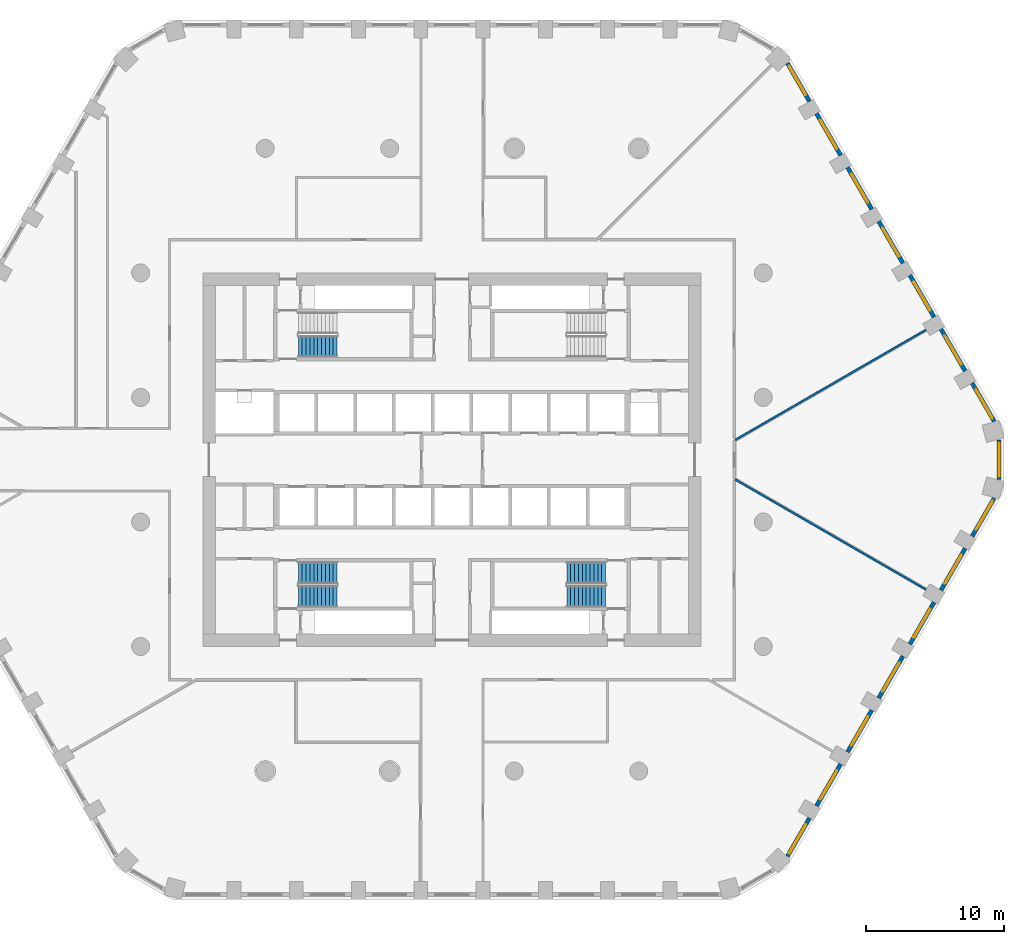
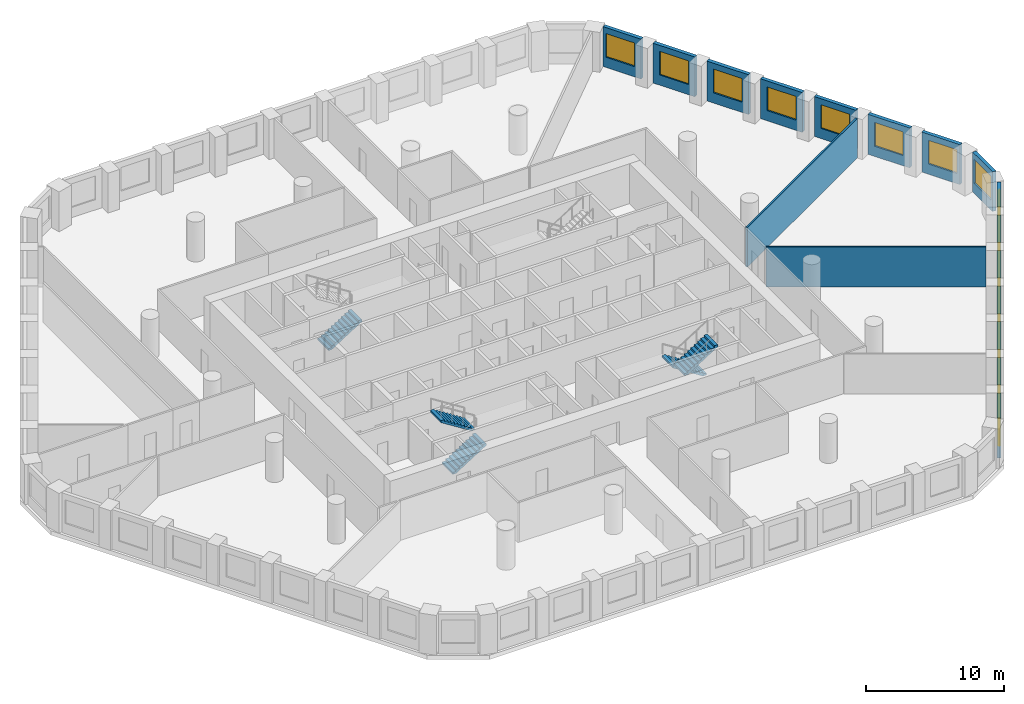
# One storey, part 8 of 14: 17 walls, 15 windows, 5 stair flights, 15 openings, 3 elements without a shape of their own.
"""IFC4 building model written with IfcOpenShell, lengths in metres."""

from ifc_helpers import new_model, si_unit, direction, frame, frame_2d, origin, place, context, subcontext, project, spatial, polyline, rectangle, outline, extrude, material, layer, layer_set, type_object, element, fill, aggregate, save


model = new_model("IFC4")

# Units and contexts
model_context = context("Model", 3, precision=1e-05, world=origin(), true_north=direction((0.0, 1.0)))
body_context = subcontext(model_context, "Body", "Model", "MODEL_VIEW")
ifc_project = project(units=[si_unit("LENGTHUNIT", "METRE"), si_unit("AREAUNIT", "SQUARE_METRE"), si_unit("VOLUMEUNIT", "CUBIC_METRE"), si_unit("PLANEANGLEUNIT", "RADIAN"), si_unit("MASSUNIT", "GRAM", prefix="KILO")], contexts=[model_context])

# Site, building, storey
site_placement = place(None, origin())
site = spatial("IfcSite", under=ifc_project, at=site_placement, CompositionType="ELEMENT")
building_placement = place(site_placement, origin())
building = spatial("IfcBuilding", under=site, at=building_placement, Name="Dhurran Vertical Campus", CompositionType="ELEMENT")
storey_placement = place(building_placement, frame((0.0, 0.0, 96.89990234375)))
storey = spatial("IfcBuildingStorey", under=building, at=storey_placement, Name="L23", CompositionType="ELEMENT", Elevation=96.89990234375)

# Wall, opening, window
ifc_material_1 = material(Name="Precast concrete C50/60", Category="concrete")
ifc_layer_1 = layer(ifc_material_1, 0.300048828125)
ifc_layer_set_1 = layer_set([ifc_layer_1], Name="Precast concrete C50/60")
wall_type_1 = type_object("IfcWallType", Name="Precast spandrel wall 300", PredefinedType="SOLIDWALL", material=ifc_layer_set_1)
wall_1_placement = place(storey_placement, frame((24.24755859375, -28.65576171875, 0.0), z_axis=(0.0, 0.0, 1.0), x_axis=(0.500004907028, 0.866022570692, 0.0)))
wall_1 = element("IfcWall", 1, at=wall_1_placement, inside=storey, type_object=wall_type_1, Name="EW1 L23.10", PredefinedType="SOLIDWALL", context=body_context, shape_type="SweptSolid", body=[
    extrude(rectangle(XDim=3.1923828125, YDim=0.300048828125, at=frame_2d((1.59619140625, 0.0))), origin(), (0.0, 0.0, 1.0), 3.525146484375),
])
opening_1_placement = place(wall_1_placement, frame((0.242919921875, 0.0, 0.89990234375)))
opening_1 = element("IfcOpeningElement", 2, at=opening_1_placement, cuts=wall_1, Name="Opening WT1", PredefinedType="OPENING", context=body_context, shape_type="SweptSolid", body=[
    extrude(rectangle(XDim=2.39990234375, YDim=2.10009765625, at=frame_2d((1.199951171875, 1.050048828125))), frame((0.0, 0.159912109375, 0.0), z_axis=(0.0, -1.0, 0.0), x_axis=(1.0, 0.0, 0.0)), (0.0, 0.0, 1.0), 0.320068359375),
])
ifc_material_2 = material(Name="Aluminium frame with solar-control glass", Category="aluminium")
window_type = type_object("IfcWindowType", Name="Punched window 2400 x 2100", PartitioningType="SINGLE_PANEL", PredefinedType="WINDOW", material=ifc_material_2)
window_1_placement = place(opening_1_placement, origin())
window_1 = element("IfcWindow", 3, at=window_1_placement, inside=storey, type_object=window_type, Name="WT1 L23.10", OverallHeight=2.10009765625, OverallWidth=2.39990234375, PartitioningType="SINGLE_PANEL", PredefinedType="WINDOW", context=body_context, shape_type="SweptSolid", body=[
    extrude(rectangle(XDim=2.39990234375, YDim=2.10009765625, at=frame_2d((1.199951171875, 1.050048828125))), frame((0.0, 0.030029296875, 0.0), z_axis=(0.0, -1.0, 0.0), x_axis=(1.0, 0.0, 0.0)), (0.0, 0.0, 1.0), 0.06005859375),
])
fill(opening_1, window_1)

wall_2_placement = place(storey_placement, frame((26.34423828125, -25.024169921875, 0.0), z_axis=(0.0, 0.0, 1.0), x_axis=(0.499996256241, 0.866027565234, 0.0)))
wall_2 = element("IfcWall", 4, at=wall_2_placement, inside=storey, type_object=wall_type_1, Name="EW1 L23.11", PredefinedType="SOLIDWALL", context=body_context, shape_type="SweptSolid", body=[
    extrude(rectangle(XDim=3.4990234375, YDim=0.300048828125, at=frame_2d((1.74951171875, 0.0))), origin(), (0.0, 0.0, 1.0), 3.525146484375),
])
opening_2_placement = place(wall_2_placement, frame((0.549560546875, 0.0, 0.89990234375)))
opening_2 = element("IfcOpeningElement", 5, at=opening_2_placement, cuts=wall_2, Name="Opening WT1", PredefinedType="OPENING", context=body_context, shape_type="SweptSolid", body=[
    extrude(rectangle(XDim=2.39990234375, YDim=2.10009765625, at=frame_2d((1.199951171875, 1.050048828125))), frame((0.0, 0.159912109375, 0.0), z_axis=(0.0, -1.0, 0.0), x_axis=(1.0, 0.0, 0.0)), (0.0, 0.0, 1.0), 0.320068359375),
])
window_2_placement = place(opening_2_placement, origin())
window_2 = element("IfcWindow", 6, at=window_2_placement, inside=storey, type_object=window_type, Name="WT1 L23.11", OverallHeight=2.10009765625, OverallWidth=2.39990234375, PartitioningType="SINGLE_PANEL", PredefinedType="WINDOW", context=body_context, shape_type="SweptSolid", body=[
    extrude(rectangle(XDim=2.39990234375, YDim=2.10009765625, at=frame_2d((1.199951171875, 1.050048828125))), frame((0.0, 0.030029296875, 0.0), z_axis=(0.0, -1.0, 0.0), x_axis=(1.0, 0.0, 0.0)), (0.0, 0.0, 1.0), 0.06005859375),
])
fill(opening_2, window_2)

wall_3_placement = place(storey_placement, frame((28.59423828125, -21.127197265625, 0.0), z_axis=(0.0, 0.0, 1.0), x_axis=(0.499996256241, 0.866027565234, 0.0)))
wall_3 = element("IfcWall", 7, at=wall_3_placement, inside=storey, type_object=wall_type_1, Name="EW1 L23.12", PredefinedType="SOLIDWALL", context=body_context, shape_type="SweptSolid", body=[
    extrude(rectangle(XDim=3.4990234375, YDim=0.300048828125, at=frame_2d((1.74951171875, 0.0))), origin(), (0.0, 0.0, 1.0), 3.525146484375),
])
opening_3_placement = place(wall_3_placement, frame((0.549560546875, 0.0, 0.89990234375)))
opening_3 = element("IfcOpeningElement", 8, at=opening_3_placement, cuts=wall_3, Name="Opening WT1", PredefinedType="OPENING", context=body_context, shape_type="SweptSolid", body=[
    extrude(rectangle(XDim=2.39990234375, YDim=2.10009765625, at=frame_2d((1.199951171875, 1.050048828125))), frame((0.0, 0.159912109375, 0.0), z_axis=(0.0, -1.0, 0.0), x_axis=(1.0, 0.0, 0.0)), (0.0, 0.0, 1.0), 0.320068359375),
])
window_3_placement = place(opening_3_placement, origin())
window_3 = element("IfcWindow", 9, at=window_3_placement, inside=storey, type_object=window_type, Name="WT1 L23.12", OverallHeight=2.10009765625, OverallWidth=2.39990234375, PartitioningType="SINGLE_PANEL", PredefinedType="WINDOW", context=body_context, shape_type="SweptSolid", body=[
    extrude(rectangle(XDim=2.39990234375, YDim=2.10009765625, at=frame_2d((1.199951171875, 1.050048828125))), frame((0.0, 0.030029296875, 0.0), z_axis=(0.0, -1.0, 0.0), x_axis=(1.0, 0.0, 0.0)), (0.0, 0.0, 1.0), 0.06005859375),
])
fill(opening_3, window_3)

wall_4_placement = place(storey_placement, frame((30.84423828125, -17.22998046875, 0.0), z_axis=(0.0, 0.0, 1.0), x_axis=(0.499996256241, 0.866027565234, 0.0)))
wall_4 = element("IfcWall", 10, at=wall_4_placement, inside=storey, type_object=wall_type_1, Name="EW1 L23.13", PredefinedType="SOLIDWALL", context=body_context, shape_type="SweptSolid", body=[
    extrude(rectangle(XDim=3.4990234375, YDim=0.300048828125, at=frame_2d((1.74951171875, 0.0))), origin(), (0.0, 0.0, 1.0), 3.525146484375),
])
opening_4_placement = place(wall_4_placement, frame((0.549560546875, 0.0, 0.89990234375)))
opening_4 = element("IfcOpeningElement", 11, at=opening_4_placement, cuts=wall_4, Name="Opening WT1", PredefinedType="OPENING", context=body_context, shape_type="SweptSolid", body=[
    extrude(rectangle(XDim=2.39990234375, YDim=2.10009765625, at=frame_2d((1.199951171875, 1.050048828125))), frame((0.0, 0.159912109375, 0.0), z_axis=(0.0, -1.0, 0.0), x_axis=(1.0, 0.0, 0.0)), (0.0, 0.0, 1.0), 0.320068359375),
])
window_4_placement = place(opening_4_placement, origin())
window_4 = element("IfcWindow", 12, at=window_4_placement, inside=storey, type_object=window_type, Name="WT1 L23.13", OverallHeight=2.10009765625, OverallWidth=2.39990234375, PartitioningType="SINGLE_PANEL", PredefinedType="WINDOW", context=body_context, shape_type="SweptSolid", body=[
    extrude(rectangle(XDim=2.39990234375, YDim=2.10009765625, at=frame_2d((1.199951171875, 1.050048828125))), frame((0.0, 0.030029296875, 0.0), z_axis=(0.0, -1.0, 0.0), x_axis=(1.0, 0.0, 0.0)), (0.0, 0.0, 1.0), 0.06005859375),
])
fill(opening_4, window_4)

wall_5_placement = place(storey_placement, frame((33.09423828125, -13.3330078125, 0.0), z_axis=(0.0, 0.0, 1.0), x_axis=(0.499996256241, 0.866027565234, 0.0)))
wall_5 = element("IfcWall", 13, at=wall_5_placement, inside=storey, type_object=wall_type_1, Name="EW1 L23.14", PredefinedType="SOLIDWALL", context=body_context, shape_type="SweptSolid", body=[
    extrude(rectangle(XDim=3.4990234375, YDim=0.300048828125, at=frame_2d((1.74951171875, 0.0))), origin(), (0.0, 0.0, 1.0), 3.525146484375),
])
opening_5_placement = place(wall_5_placement, frame((0.549560546875, 0.0, 0.89990234375)))
opening_5 = element("IfcOpeningElement", 14, at=opening_5_placement, cuts=wall_5, Name="Opening WT1", PredefinedType="OPENING", context=body_context, shape_type="SweptSolid", body=[
    extrude(rectangle(XDim=2.39990234375, YDim=2.10009765625, at=frame_2d((1.199951171875, 1.050048828125))), frame((0.0, 0.159912109375, 0.0), z_axis=(0.0, -1.0, 0.0), x_axis=(1.0, 0.0, 0.0)), (0.0, 0.0, 1.0), 0.320068359375),
])
window_5_placement = place(opening_5_placement, origin())
window_5 = element("IfcWindow", 15, at=window_5_placement, inside=storey, type_object=window_type, Name="WT1 L23.14", OverallHeight=2.10009765625, OverallWidth=2.39990234375, PartitioningType="SINGLE_PANEL", PredefinedType="WINDOW", context=body_context, shape_type="SweptSolid", body=[
    extrude(rectangle(XDim=2.39990234375, YDim=2.10009765625, at=frame_2d((1.199951171875, 1.050048828125))), frame((0.0, 0.030029296875, 0.0), z_axis=(0.0, -1.0, 0.0), x_axis=(1.0, 0.0, 0.0)), (0.0, 0.0, 1.0), 0.06005859375),
])
fill(opening_5, window_5)

wall_6_placement = place(storey_placement, frame((35.34423828125, -9.435791015625, 0.0), z_axis=(0.0, 0.0, 1.0), x_axis=(0.499996256241, 0.866027565234, 0.0)))
wall_6 = element("IfcWall", 16, at=wall_6_placement, inside=storey, type_object=wall_type_1, Name="EW1 L23.15", PredefinedType="SOLIDWALL", context=body_context, shape_type="SweptSolid", body=[
    extrude(rectangle(XDim=3.4990234375, YDim=0.300048828125, at=frame_2d((1.74951171875, 0.0))), origin(), (0.0, 0.0, 1.0), 3.525146484375),
])
opening_6_placement = place(wall_6_placement, frame((0.549560546875, 0.0, 0.89990234375)))
opening_6 = element("IfcOpeningElement", 17, at=opening_6_placement, cuts=wall_6, Name="Opening WT1", PredefinedType="OPENING", context=body_context, shape_type="SweptSolid", body=[
    extrude(rectangle(XDim=2.39990234375, YDim=2.10009765625, at=frame_2d((1.199951171875, 1.050048828125))), frame((0.0, 0.159912109375, 0.0), z_axis=(0.0, -1.0, 0.0), x_axis=(1.0, 0.0, 0.0)), (0.0, 0.0, 1.0), 0.320068359375),
])
window_6_placement = place(opening_6_placement, origin())
window_6 = element("IfcWindow", 18, at=window_6_placement, inside=storey, type_object=window_type, Name="WT1 L23.15", OverallHeight=2.10009765625, OverallWidth=2.39990234375, PartitioningType="SINGLE_PANEL", PredefinedType="WINDOW", context=body_context, shape_type="SweptSolid", body=[
    extrude(rectangle(XDim=2.39990234375, YDim=2.10009765625, at=frame_2d((1.199951171875, 1.050048828125))), frame((0.0, 0.030029296875, 0.0), z_axis=(0.0, -1.0, 0.0), x_axis=(1.0, 0.0, 0.0)), (0.0, 0.0, 1.0), 0.06005859375),
])
fill(opening_6, window_6)

wall_7_placement = place(storey_placement, frame((37.59423828125, -5.538818359375, 0.0), z_axis=(0.0, 0.0, 1.0), x_axis=(0.500004907028, 0.866022570692, 0.0)))
wall_7 = element("IfcWall", 19, at=wall_7_placement, inside=storey, type_object=wall_type_1, Name="EW1 L23.16", PredefinedType="SOLIDWALL", context=body_context, shape_type="SweptSolid", body=[
    extrude(rectangle(XDim=3.1923828125, YDim=0.300048828125, at=frame_2d((1.59619140625, 0.0))), origin(), (0.0, 0.0, 1.0), 3.525146484375),
])
opening_7_placement = place(wall_7_placement, frame((0.549560546875, 0.0, 0.89990234375)))
opening_7 = element("IfcOpeningElement", 20, at=opening_7_placement, cuts=wall_7, Name="Opening WT1", PredefinedType="OPENING", context=body_context, shape_type="SweptSolid", body=[
    extrude(rectangle(XDim=2.39990234375, YDim=2.10009765625, at=frame_2d((1.199951171875, 1.050048828125))), frame((0.0, 0.159912109375, 0.0), z_axis=(0.0, -1.0, 0.0), x_axis=(1.0, 0.0, 0.0)), (0.0, 0.0, 1.0), 0.320068359375),
])
window_7_placement = place(opening_7_placement, origin())
window_7 = element("IfcWindow", 21, at=window_7_placement, inside=storey, type_object=window_type, Name="WT1 L23.16", OverallHeight=2.10009765625, OverallWidth=2.39990234375, PartitioningType="SINGLE_PANEL", PredefinedType="WINDOW", context=body_context, shape_type="SweptSolid", body=[
    extrude(rectangle(XDim=2.39990234375, YDim=2.10009765625, at=frame_2d((1.199951171875, 1.050048828125))), frame((0.0, 0.030029296875, 0.0), z_axis=(0.0, -1.0, 0.0), x_axis=(1.0, 0.0, 0.0)), (0.0, 0.0, 1.0), 0.06005859375),
])
fill(opening_7, window_7)

wall_8_placement = place(storey_placement, frame((39.547119140625, -1.44287109375, 0.0), z_axis=(0.0, 0.0, 1.0), x_axis=(0.0, 1.0, 0.0)))
wall_8 = element("IfcWall", 22, at=wall_8_placement, inside=storey, type_object=wall_type_1, Name="EW1 L23.17", PredefinedType="SOLIDWALL", context=body_context, shape_type="SweptSolid", body=[
    extrude(rectangle(XDim=2.8857421875, YDim=0.300048828125, at=frame_2d((1.44287109375, 0.0))), origin(), (0.0, 0.0, 1.0), 3.525146484375),
])
opening_8_placement = place(wall_8_placement, frame((0.242919921875, 0.0, 0.89990234375)))
opening_8 = element("IfcOpeningElement", 23, at=opening_8_placement, cuts=wall_8, Name="Opening WT1", PredefinedType="OPENING", context=body_context, shape_type="SweptSolid", body=[
    extrude(rectangle(XDim=2.39990234375, YDim=2.10009765625, at=frame_2d((1.199951171875, 1.050048828125))), frame((0.0, 0.159912109375, 0.0), z_axis=(0.0, -1.0, 0.0), x_axis=(1.0, 0.0, 0.0)), (0.0, 0.0, 1.0), 0.320068359375),
])
window_8_placement = place(opening_8_placement, origin())
window_8 = element("IfcWindow", 24, at=window_8_placement, inside=storey, type_object=window_type, Name="WT1 L23.17", OverallHeight=2.10009765625, OverallWidth=2.39990234375, PartitioningType="SINGLE_PANEL", PredefinedType="WINDOW", context=body_context, shape_type="SweptSolid", body=[
    extrude(rectangle(XDim=2.39990234375, YDim=2.10009765625, at=frame_2d((1.199951171875, 1.050048828125))), frame((0.0, 0.030029296875, 0.0), z_axis=(0.0, -1.0, 0.0), x_axis=(1.0, 0.0, 0.0)), (0.0, 0.0, 1.0), 0.06005859375),
])
fill(opening_8, window_8)

wall_9_placement = place(storey_placement, frame((39.1904296875, 2.774169921875, 0.0), z_axis=(0.0, 0.0, 1.0), x_axis=(-0.500004907028, 0.866022570692, 0.0)))
wall_9 = element("IfcWall", 25, at=wall_9_placement, inside=storey, type_object=wall_type_1, Name="EW1 L23.18", PredefinedType="SOLIDWALL", context=body_context, shape_type="SweptSolid", body=[
    extrude(rectangle(XDim=3.1923828125, YDim=0.300048828125, at=frame_2d((1.59619140625, 0.0))), origin(), (0.0, 0.0, 1.0), 3.525146484375),
])
opening_9_placement = place(wall_9_placement, frame((0.242919921875, 0.0, 0.89990234375)))
opening_9 = element("IfcOpeningElement", 26, at=opening_9_placement, cuts=wall_9, Name="Opening WT1", PredefinedType="OPENING", context=body_context, shape_type="SweptSolid", body=[
    extrude(rectangle(XDim=2.39990234375, YDim=2.10009765625, at=frame_2d((1.199951171875, 1.050048828125))), frame((0.0, 0.159912109375, 0.0), z_axis=(0.0, -1.0, 0.0), x_axis=(1.0, 0.0, 0.0)), (0.0, 0.0, 1.0), 0.320068359375),
])
window_9_placement = place(opening_9_placement, origin())
window_9 = element("IfcWindow", 27, at=window_9_placement, inside=storey, type_object=window_type, Name="WT1 L23.18", OverallHeight=2.10009765625, OverallWidth=2.39990234375, PartitioningType="SINGLE_PANEL", PredefinedType="WINDOW", context=body_context, shape_type="SweptSolid", body=[
    extrude(rectangle(XDim=2.39990234375, YDim=2.10009765625, at=frame_2d((1.199951171875, 1.050048828125))), frame((0.0, 0.030029296875, 0.0), z_axis=(0.0, -1.0, 0.0), x_axis=(1.0, 0.0, 0.0)), (0.0, 0.0, 1.0), 0.06005859375),
])
fill(opening_9, window_9)

wall_10_placement = place(storey_placement, frame((37.09375, 6.405517578125, 0.0), z_axis=(0.0, 0.0, 1.0), x_axis=(-0.499996256241, 0.866027565234, 0.0)))
wall_10 = element("IfcWall", 28, at=wall_10_placement, inside=storey, type_object=wall_type_1, Name="EW1 L23.19", PredefinedType="SOLIDWALL", context=body_context, shape_type="SweptSolid", body=[
    extrude(rectangle(XDim=3.4990234375, YDim=0.300048828125, at=frame_2d((1.74951171875, 0.0))), origin(), (0.0, 0.0, 1.0), 3.525146484375),
])
opening_10_placement = place(wall_10_placement, frame((0.549560546875, 0.0, 0.89990234375)))
opening_10 = element("IfcOpeningElement", 29, at=opening_10_placement, cuts=wall_10, Name="Opening WT1", PredefinedType="OPENING", context=body_context, shape_type="SweptSolid", body=[
    extrude(rectangle(XDim=2.39990234375, YDim=2.10009765625, at=frame_2d((1.199951171875, 1.050048828125))), frame((0.0, 0.159912109375, 0.0), z_axis=(0.0, -1.0, 0.0), x_axis=(1.0, 0.0, 0.0)), (0.0, 0.0, 1.0), 0.320068359375),
])
window_10_placement = place(opening_10_placement, origin())
window_10 = element("IfcWindow", 30, at=window_10_placement, inside=storey, type_object=window_type, Name="WT1 L23.19", OverallHeight=2.10009765625, OverallWidth=2.39990234375, PartitioningType="SINGLE_PANEL", PredefinedType="WINDOW", context=body_context, shape_type="SweptSolid", body=[
    extrude(rectangle(XDim=2.39990234375, YDim=2.10009765625, at=frame_2d((1.199951171875, 1.050048828125))), frame((0.0, 0.030029296875, 0.0), z_axis=(0.0, -1.0, 0.0), x_axis=(1.0, 0.0, 0.0)), (0.0, 0.0, 1.0), 0.06005859375),
])
fill(opening_10, window_10)

wall_11_placement = place(storey_placement, frame((34.84375, 10.302734375, 0.0), z_axis=(0.0, 0.0, 1.0), x_axis=(-0.499996256241, 0.866027565234, 0.0)))
wall_11 = element("IfcWall", 31, at=wall_11_placement, inside=storey, type_object=wall_type_1, Name="EW1 L23.20", PredefinedType="SOLIDWALL", context=body_context, shape_type="SweptSolid", body=[
    extrude(rectangle(XDim=3.4990234375, YDim=0.300048828125, at=frame_2d((1.74951171875, 0.0))), origin(), (0.0, 0.0, 1.0), 3.525146484375),
])
opening_11_placement = place(wall_11_placement, frame((0.549560546875, 0.0, 0.89990234375)))
opening_11 = element("IfcOpeningElement", 32, at=opening_11_placement, cuts=wall_11, Name="Opening WT1", PredefinedType="OPENING", context=body_context, shape_type="SweptSolid", body=[
    extrude(rectangle(XDim=2.39990234375, YDim=2.10009765625, at=frame_2d((1.199951171875, 1.050048828125))), frame((0.0, 0.159912109375, 0.0), z_axis=(0.0, -1.0, 0.0), x_axis=(1.0, 0.0, 0.0)), (0.0, 0.0, 1.0), 0.320068359375),
])
window_11_placement = place(opening_11_placement, origin())
window_11 = element("IfcWindow", 33, at=window_11_placement, inside=storey, type_object=window_type, Name="WT1 L23.20", OverallHeight=2.10009765625, OverallWidth=2.39990234375, PartitioningType="SINGLE_PANEL", PredefinedType="WINDOW", context=body_context, shape_type="SweptSolid", body=[
    extrude(rectangle(XDim=2.39990234375, YDim=2.10009765625, at=frame_2d((1.199951171875, 1.050048828125))), frame((0.0, 0.030029296875, 0.0), z_axis=(0.0, -1.0, 0.0), x_axis=(1.0, 0.0, 0.0)), (0.0, 0.0, 1.0), 0.06005859375),
])
fill(opening_11, window_11)

wall_12_placement = place(storey_placement, frame((32.59375, 14.19970703125, 0.0), z_axis=(0.0, 0.0, 1.0), x_axis=(-0.499996256241, 0.866027565234, 0.0)))
wall_12 = element("IfcWall", 34, at=wall_12_placement, inside=storey, type_object=wall_type_1, Name="EW1 L23.21", PredefinedType="SOLIDWALL", context=body_context, shape_type="SweptSolid", body=[
    extrude(rectangle(XDim=3.4990234375, YDim=0.300048828125, at=frame_2d((1.74951171875, 0.0))), origin(), (0.0, 0.0, 1.0), 3.525146484375),
])
opening_12_placement = place(wall_12_placement, frame((0.549560546875, 0.0, 0.89990234375)))
opening_12 = element("IfcOpeningElement", 35, at=opening_12_placement, cuts=wall_12, Name="Opening WT1", PredefinedType="OPENING", context=body_context, shape_type="SweptSolid", body=[
    extrude(rectangle(XDim=2.39990234375, YDim=2.10009765625, at=frame_2d((1.199951171875, 1.050048828125))), frame((0.0, 0.159912109375, 0.0), z_axis=(0.0, -1.0, 0.0), x_axis=(1.0, 0.0, 0.0)), (0.0, 0.0, 1.0), 0.320068359375),
])
window_12_placement = place(opening_12_placement, origin())
window_12 = element("IfcWindow", 36, at=window_12_placement, inside=storey, type_object=window_type, Name="WT1 L23.21", OverallHeight=2.10009765625, OverallWidth=2.39990234375, PartitioningType="SINGLE_PANEL", PredefinedType="WINDOW", context=body_context, shape_type="SweptSolid", body=[
    extrude(rectangle(XDim=2.39990234375, YDim=2.10009765625, at=frame_2d((1.199951171875, 1.050048828125))), frame((0.0, 0.030029296875, 0.0), z_axis=(0.0, -1.0, 0.0), x_axis=(1.0, 0.0, 0.0)), (0.0, 0.0, 1.0), 0.06005859375),
])
fill(opening_12, window_12)

wall_13_placement = place(storey_placement, frame((30.34375, 18.096923828125, 0.0), z_axis=(0.0, 0.0, 1.0), x_axis=(-0.499996256241, 0.866027565234, 0.0)))
wall_13 = element("IfcWall", 37, at=wall_13_placement, inside=storey, type_object=wall_type_1, Name="EW1 L23.22", PredefinedType="SOLIDWALL", context=body_context, shape_type="SweptSolid", body=[
    extrude(rectangle(XDim=3.4990234375, YDim=0.300048828125, at=frame_2d((1.74951171875, 0.0))), origin(), (0.0, 0.0, 1.0), 3.525146484375),
])
opening_13_placement = place(wall_13_placement, frame((0.549560546875, 0.0, 0.89990234375)))
opening_13 = element("IfcOpeningElement", 38, at=opening_13_placement, cuts=wall_13, Name="Opening WT1", PredefinedType="OPENING", context=body_context, shape_type="SweptSolid", body=[
    extrude(rectangle(XDim=2.39990234375, YDim=2.10009765625, at=frame_2d((1.199951171875, 1.050048828125))), frame((0.0, 0.159912109375, 0.0), z_axis=(0.0, -1.0, 0.0), x_axis=(1.0, 0.0, 0.0)), (0.0, 0.0, 1.0), 0.320068359375),
])
window_13_placement = place(opening_13_placement, origin())
window_13 = element("IfcWindow", 39, at=window_13_placement, inside=storey, type_object=window_type, Name="WT1 L23.22", OverallHeight=2.10009765625, OverallWidth=2.39990234375, PartitioningType="SINGLE_PANEL", PredefinedType="WINDOW", context=body_context, shape_type="SweptSolid", body=[
    extrude(rectangle(XDim=2.39990234375, YDim=2.10009765625, at=frame_2d((1.199951171875, 1.050048828125))), frame((0.0, 0.030029296875, 0.0), z_axis=(0.0, -1.0, 0.0), x_axis=(1.0, 0.0, 0.0)), (0.0, 0.0, 1.0), 0.06005859375),
])
fill(opening_13, window_13)

wall_14_placement = place(storey_placement, frame((28.09375, 21.993896484375, 0.0), z_axis=(0.0, 0.0, 1.0), x_axis=(-0.499996256241, 0.866027565234, 0.0)))
wall_14 = element("IfcWall", 40, at=wall_14_placement, inside=storey, type_object=wall_type_1, Name="EW1 L23.23", PredefinedType="SOLIDWALL", context=body_context, shape_type="SweptSolid", body=[
    extrude(rectangle(XDim=3.4990234375, YDim=0.300048828125, at=frame_2d((1.74951171875, 0.0))), origin(), (0.0, 0.0, 1.0), 3.525146484375),
])
opening_14_placement = place(wall_14_placement, frame((0.549560546875, 0.0, 0.89990234375)))
opening_14 = element("IfcOpeningElement", 41, at=opening_14_placement, cuts=wall_14, Name="Opening WT1", PredefinedType="OPENING", context=body_context, shape_type="SweptSolid", body=[
    extrude(rectangle(XDim=2.39990234375, YDim=2.10009765625, at=frame_2d((1.199951171875, 1.050048828125))), frame((0.0, 0.159912109375, 0.0), z_axis=(0.0, -1.0, 0.0), x_axis=(1.0, 0.0, 0.0)), (0.0, 0.0, 1.0), 0.320068359375),
])
window_14_placement = place(opening_14_placement, origin())
window_14 = element("IfcWindow", 42, at=window_14_placement, inside=storey, type_object=window_type, Name="WT1 L23.23", OverallHeight=2.10009765625, OverallWidth=2.39990234375, PartitioningType="SINGLE_PANEL", PredefinedType="WINDOW", context=body_context, shape_type="SweptSolid", body=[
    extrude(rectangle(XDim=2.39990234375, YDim=2.10009765625, at=frame_2d((1.199951171875, 1.050048828125))), frame((0.0, 0.030029296875, 0.0), z_axis=(0.0, -1.0, 0.0), x_axis=(1.0, 0.0, 0.0)), (0.0, 0.0, 1.0), 0.06005859375),
])
fill(opening_14, window_14)

wall_15_placement = place(storey_placement, frame((25.84375, 25.89111328125, 0.0), z_axis=(0.0, 0.0, 1.0), x_axis=(-0.500004907028, 0.866022570692, 0.0)))
wall_15 = element("IfcWall", 43, at=wall_15_placement, inside=storey, type_object=wall_type_1, Name="EW1 L23.24", PredefinedType="SOLIDWALL", context=body_context, shape_type="SweptSolid", body=[
    extrude(rectangle(XDim=3.1923828125, YDim=0.300048828125, at=frame_2d((1.59619140625, 0.0))), origin(), (0.0, 0.0, 1.0), 3.525146484375),
])
opening_15_placement = place(wall_15_placement, frame((0.549560546875, 0.0, 0.89990234375)))
opening_15 = element("IfcOpeningElement", 44, at=opening_15_placement, cuts=wall_15, Name="Opening WT1", PredefinedType="OPENING", context=body_context, shape_type="SweptSolid", body=[
    extrude(rectangle(XDim=2.39990234375, YDim=2.10009765625, at=frame_2d((1.199951171875, 1.050048828125))), frame((0.0, 0.159912109375, 0.0), z_axis=(0.0, -1.0, 0.0), x_axis=(1.0, 0.0, 0.0)), (0.0, 0.0, 1.0), 0.320068359375),
])
window_15_placement = place(opening_15_placement, origin())
window_15 = element("IfcWindow", 45, at=window_15_placement, inside=storey, type_object=window_type, Name="WT1 L23.24", OverallHeight=2.10009765625, OverallWidth=2.39990234375, PartitioningType="SINGLE_PANEL", PredefinedType="WINDOW", context=body_context, shape_type="SweptSolid", body=[
    extrude(rectangle(XDim=2.39990234375, YDim=2.10009765625, at=frame_2d((1.199951171875, 1.050048828125))), frame((0.0, 0.030029296875, 0.0), z_axis=(0.0, -1.0, 0.0), x_axis=(1.0, 0.0, 0.0)), (0.0, 0.0, 1.0), 0.06005859375),
])
fill(opening_15, window_15)

# Walls
ifc_material_3 = material(Name="Gypsum board partition on steel studs", Category="steel")
ifc_layer_2 = layer(ifc_material_3, 0.14990234375)
ifc_layer_set_2 = layer_set([ifc_layer_2], Name="Gypsum board partition on steel studs")
wall_type_2 = type_object("IfcWallType", Name="fl-PW-150 fixed partition", PredefinedType="PARTITIONING", material=ifc_layer_set_2)
for number, where, z_axis, x_axis, name in (
    (46, (20.465087890625, -1.423583984375, 0.0), (0.0, 0.0, 1.0), (0.866033144593, -0.499986592286, 0.0), "Partition 23-46"),
    (47, (34.25390625, 9.38427734375, 0.0), (0.0, 0.0, 1.0), (-0.866033144593, -0.499986592286, 0.0), "Partition 23-48"),
):
    element("IfcWall", number, at=place(storey_placement, frame(where, z_axis=z_axis, x_axis=x_axis)), inside=storey, type_object=wall_type_2, Name=name, PredefinedType="PARTITIONING", context=body_context, shape_type="SweptSolid", body=[
        extrude(rectangle(XDim=15.921875, YDim=0.14990234375, at=frame_2d((7.9609375, 0.0))), origin(), (0.0, 0.0, 1.0), 3.525146484375),
    ])

# Stair, stair flight
ifc_material_4 = material(Name="Concrete C40/50", Category="concrete")
stair_type = type_object("IfcStairType", Name="co-ST-CORE", PredefinedType="HALF_TURN_STAIR", material=ifc_material_4)
stair_1_placement = place(storey_placement, origin())
stair_1 = element("IfcStair", 48, at=stair_1_placement, inside=storey, type_object=stair_type, Name="L23 Protected exit stair ST1", PredefinedType="HALF_TURN_STAIR")
ifc_material_5 = material(Name="Concrete C40/50", Category="concrete")
stair_flight_type = type_object("IfcStairFlightType", Name="co-SFL-RC", PredefinedType="STRAIGHT", material=ifc_material_5)
stair_flight_1_placement = place(storey_placement, frame((-11.10009765625, 8.175048828125, 0.0), z_axis=(0.0, 0.0, 1.0), x_axis=(1.0, 0.0, 0.0)))
stair_flight_1 = element("IfcStairFlight", 49, at=stair_flight_1_placement, type_object=stair_flight_type, Name="ST1 flight 1", NumberOfRisers=11, NumberOfTreads=10, PredefinedType="STRAIGHT", RiserHeight=0.177272727, TreadLength=0.28, context=body_context, shape_type="SweptSolid", body=[
    extrude(outline(polyline([(0.0, 0.0), (0.0, 0.17724609375), (0.280029296875, 0.17724609375), (0.280029296875, 0.3544921875), (0.56005859375, 0.3544921875), (0.56005859375, 0.53173828125), (0.840087890625, 0.53173828125), (0.840087890625, 0.708984375), (1.1201171875, 0.708984375), (1.1201171875, 0.886474609375), (1.39990234375, 0.886474609375), (1.39990234375, 1.063720703125), (1.679931640625, 1.063720703125), (1.679931640625, 1.240966796875), (1.9599609375, 1.240966796875), (1.9599609375, 1.418212890625), (2.239990234375, 1.418212890625), (2.239990234375, 1.595458984375), (2.52001953125, 1.595458984375), (2.52001953125, 1.772705078125), (2.800048828125, 1.772705078125), (2.800048828125, 1.949951171875), (2.800048828125, 1.59521484375), (0.2802734375, 0.0), (0.0, 0.0)])), frame((0.0, 0.77490234375, 0.0), z_axis=(0.0, -1.0, 0.0), x_axis=(1.0, 0.0, 0.0)), (0.0, 0.0, 1.0), 1.550048828125),
])
aggregate(stair_1, [stair_flight_1])

# Stair, stair flights
stair_2_placement = place(storey_placement, origin())
stair_2 = element("IfcStair", 50, at=stair_2_placement, inside=storey, type_object=stair_type, Name="L23 Protected exit stair ST3", PredefinedType="HALF_TURN_STAIR")
stair_flight_2_placement = place(storey_placement, frame((-11.10009765625, -9.875, 0.0), z_axis=(0.0, 0.0, 1.0), x_axis=(1.0, 0.0, 0.0)))
stair_flight_2 = element("IfcStairFlight", 51, at=stair_flight_2_placement, type_object=stair_flight_type, Name="ST3 flight 1", NumberOfRisers=11, NumberOfTreads=10, PredefinedType="STRAIGHT", RiserHeight=0.177272727, TreadLength=0.28, context=body_context, shape_type="SweptSolid", body=[
    extrude(outline(polyline([(0.0, 0.0), (0.0, 0.17724609375), (0.280029296875, 0.17724609375), (0.280029296875, 0.3544921875), (0.56005859375, 0.3544921875), (0.56005859375, 0.53173828125), (0.840087890625, 0.53173828125), (0.840087890625, 0.708984375), (1.1201171875, 0.708984375), (1.1201171875, 0.886474609375), (1.39990234375, 0.886474609375), (1.39990234375, 1.063720703125), (1.679931640625, 1.063720703125), (1.679931640625, 1.240966796875), (1.9599609375, 1.240966796875), (1.9599609375, 1.418212890625), (2.239990234375, 1.418212890625), (2.239990234375, 1.595458984375), (2.52001953125, 1.595458984375), (2.52001953125, 1.772705078125), (2.800048828125, 1.772705078125), (2.800048828125, 1.949951171875), (2.800048828125, 1.59521484375), (0.2802734375, 0.0), (0.0, 0.0)])), frame((0.0, 0.77490234375, 0.0), z_axis=(0.0, -1.0, 0.0), x_axis=(1.0, 0.0, 0.0)), (0.0, 0.0, 1.0), 1.550048828125),
])
stair_flight_3_placement = place(storey_placement, frame((-8.300048828125, -8.175048828125, 1.9501953125), z_axis=(0.0, 0.0, 1.0), x_axis=(-1.0, 0.0, 0.0)))
stair_flight_3 = element("IfcStairFlight", 52, at=stair_flight_3_placement, type_object=stair_flight_type, Name="ST3 flight 2", NumberOfRisers=11, NumberOfTreads=10, PredefinedType="STRAIGHT", RiserHeight=0.177272727, TreadLength=0.28, context=body_context, shape_type="SweptSolid", body=[
    extrude(outline(polyline([(0.0, 0.0), (0.0, 0.17724609375), (0.280029296875, 0.17724609375), (0.280029296875, 0.3544921875), (0.56005859375, 0.3544921875), (0.56005859375, 0.53173828125), (0.840087890625, 0.53173828125), (0.840087890625, 0.708984375), (1.1201171875, 0.708984375), (1.1201171875, 0.886474609375), (1.39990234375, 0.886474609375), (1.39990234375, 1.063720703125), (1.679931640625, 1.063720703125), (1.679931640625, 1.240966796875), (1.9599609375, 1.240966796875), (1.9599609375, 1.418212890625), (2.239990234375, 1.418212890625), (2.239990234375, 1.595458984375), (2.52001953125, 1.595458984375), (2.52001953125, 1.772705078125), (2.800048828125, 1.772705078125), (2.800048828125, 1.949951171875), (2.800048828125, 1.59521484375), (0.2802734375, 0.0), (0.0, 0.0)])), frame((0.0, 0.77490234375, 0.0), z_axis=(0.0, -1.0, 0.0), x_axis=(1.0, 0.0, 0.0)), (0.0, 0.0, 1.0), 1.550048828125),
])
aggregate(stair_2, [stair_flight_2, stair_flight_3])

stair_3_placement = place(storey_placement, origin())
stair_3 = element("IfcStair", 53, at=stair_3_placement, inside=storey, type_object=stair_type, Name="L23 Protected exit stair ST4", PredefinedType="HALF_TURN_STAIR")
stair_flight_4_placement = place(storey_placement, frame((11.10009765625, -8.175048828125, 0.0), z_axis=(0.0, 0.0, 1.0), x_axis=(-1.0, 0.0, 0.0)))
stair_flight_4 = element("IfcStairFlight", 54, at=stair_flight_4_placement, type_object=stair_flight_type, Name="ST4 flight 1", NumberOfRisers=11, NumberOfTreads=10, PredefinedType="STRAIGHT", RiserHeight=0.177272727, TreadLength=0.28, context=body_context, shape_type="SweptSolid", body=[
    extrude(outline(polyline([(0.0, 0.0), (0.0, 0.17724609375), (0.280029296875, 0.17724609375), (0.280029296875, 0.3544921875), (0.56005859375, 0.3544921875), (0.56005859375, 0.53173828125), (0.840087890625, 0.53173828125), (0.840087890625, 0.708984375), (1.1201171875, 0.708984375), (1.1201171875, 0.886474609375), (1.39990234375, 0.886474609375), (1.39990234375, 1.063720703125), (1.679931640625, 1.063720703125), (1.679931640625, 1.240966796875), (1.9599609375, 1.240966796875), (1.9599609375, 1.418212890625), (2.239990234375, 1.418212890625), (2.239990234375, 1.595458984375), (2.52001953125, 1.595458984375), (2.52001953125, 1.772705078125), (2.800048828125, 1.772705078125), (2.800048828125, 1.949951171875), (2.800048828125, 1.59521484375), (0.2802734375, 0.0), (0.0, 0.0)])), frame((0.0, 0.77490234375, 0.0), z_axis=(0.0, -1.0, 0.0), x_axis=(1.0, 0.0, 0.0)), (0.0, 0.0, 1.0), 1.550048828125),
])
stair_flight_5_placement = place(storey_placement, frame((8.300048828125, -9.875, 1.9501953125), z_axis=(0.0, 0.0, 1.0), x_axis=(1.0, 0.0, 0.0)))
stair_flight_5 = element("IfcStairFlight", 55, at=stair_flight_5_placement, type_object=stair_flight_type, Name="ST4 flight 2", NumberOfRisers=11, NumberOfTreads=10, PredefinedType="STRAIGHT", RiserHeight=0.177272727, TreadLength=0.28, context=body_context, shape_type="SweptSolid", body=[
    extrude(outline(polyline([(0.0, 0.0), (0.0, 0.17724609375), (0.280029296875, 0.17724609375), (0.280029296875, 0.3544921875), (0.56005859375, 0.3544921875), (0.56005859375, 0.53173828125), (0.840087890625, 0.53173828125), (0.840087890625, 0.708984375), (1.1201171875, 0.708984375), (1.1201171875, 0.886474609375), (1.39990234375, 0.886474609375), (1.39990234375, 1.063720703125), (1.679931640625, 1.063720703125), (1.679931640625, 1.240966796875), (1.9599609375, 1.240966796875), (1.9599609375, 1.418212890625), (2.239990234375, 1.418212890625), (2.239990234375, 1.595458984375), (2.52001953125, 1.595458984375), (2.52001953125, 1.772705078125), (2.800048828125, 1.772705078125), (2.800048828125, 1.949951171875), (2.800048828125, 1.59521484375), (0.2802734375, 0.0), (0.0, 0.0)])), frame((0.0, 0.77490234375, 0.0), z_axis=(0.0, -1.0, 0.0), x_axis=(1.0, 0.0, 0.0)), (0.0, 0.0, 1.0), 1.550048828125),
])
aggregate(stair_3, [stair_flight_4, stair_flight_5])

save(model, "model.ifc")
